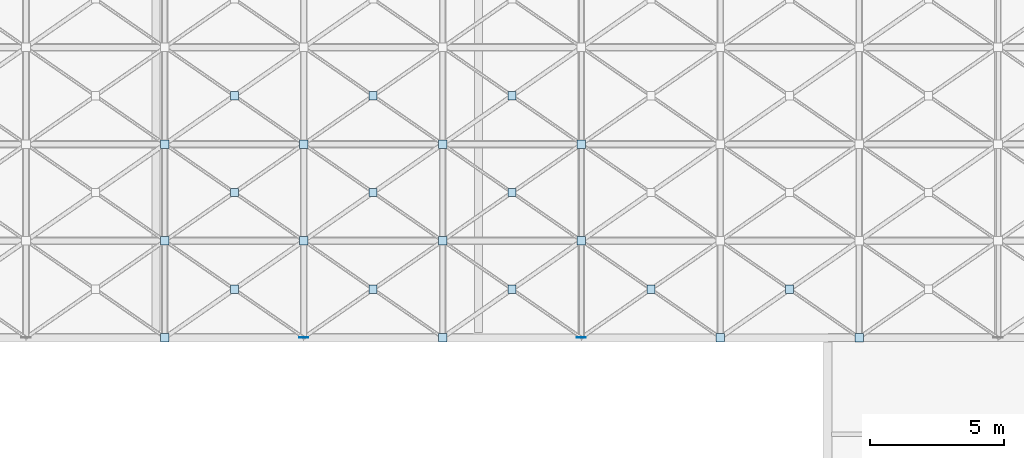
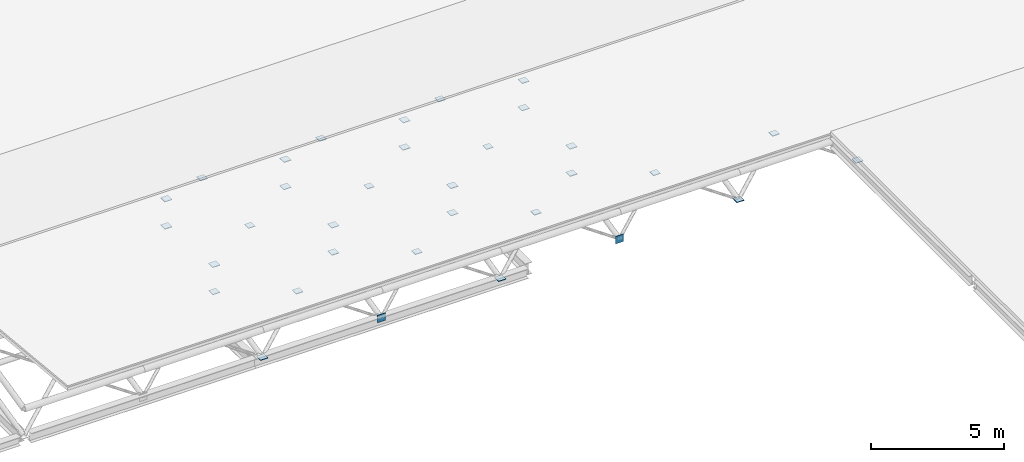
# One storey, part 92 of 110: 33 plates.
"""IFC4 building model written with IfcOpenShell, lengths in metres."""

from ifc_helpers import new_model, si_unit, direction, frame, origin, origin_2d, place, context, subcontext, project, spatial, rectangle, extrude, material, layer, layer_set, type_object, element, save


model = new_model("IFC4")

# Units and contexts
model_context = context("Model", 3, precision=1e-05, world=origin(), true_north=direction((0.0, 1.0)))
body_context = subcontext(model_context, "Body", "Model", "MODEL_VIEW")
ifc_project = project(units=[si_unit("LENGTHUNIT", "METRE"), si_unit("AREAUNIT", "SQUARE_METRE"), si_unit("VOLUMEUNIT", "CUBIC_METRE"), si_unit("PLANEANGLEUNIT", "RADIAN"), si_unit("MASSUNIT", "GRAM", prefix="KILO")], contexts=[model_context])

# Site, building, storey
site_placement = place(None, origin())
site = spatial("IfcSite", under=ifc_project, at=site_placement, CompositionType="ELEMENT")
building_placement = place(site_placement, origin())
building = spatial("IfcBuilding", under=site, at=building_placement, Name="Tamarisk Ironworks Central Station", CompositionType="ELEMENT")
storey_placement = place(building_placement, frame((0.0, 0.0, 17.39990234375)))
storey = spatial("IfcBuildingStorey", under=building, at=storey_placement, Name="L03", CompositionType="ELEMENT", Elevation=17.39990234375)

# Plates
ifc_material_1 = material(Name="Painted structural steel S355J2", Category="steel")
ifc_layer_1 = layer(ifc_material_1, 0.01611328125)
ifc_layer_set_1 = layer_set([ifc_layer_1], Name="Painted structural steel S355J2")
plate_type_1 = type_object("IfcPlateType", Name="PL-EC16", PredefinedType="SHEET", material=ifc_layer_set_1)
for number, where, z_axis, x_axis, name in (
    (1, (133.5, 21.60009765625, -1.89013671875), (0.0, 0.0, 1.0), (1.0, 0.0, 0.0), "Hollow section welded end-cap plate 41"),
    (2, (143.833251953125, 21.60009765625, -1.89013671875), (0.0, 0.0, 1.0), (1.0, 0.0, 0.0), "Hollow section welded end-cap plate 42"),
):
    element("IfcPlate", number, at=place(storey_placement, frame(where, z_axis=z_axis, x_axis=x_axis)), inside=storey, type_object=plate_type_1, Name=name, PredefinedType="SHEET", context=body_context, shape_type="SweptSolid", body=[
        extrude(rectangle(XDim=0.340087890625, YDim=0.02392578125, at=origin_2d()), origin(), (0.0, 0.0, 1.0), 0.340087890625),
    ])
ifc_material_2 = material(Name="Structural steel S355J2H", Category="steel")
ifc_layer_2 = layer(ifc_material_2, 0.02587890625)
ifc_layer_set_2 = layer_set([ifc_layer_2], Name="Structural steel S355J2H")
plate_type_2 = type_object("IfcPlateType", Name="PL-ND26", PredefinedType="SHEET", material=ifc_layer_set_2)
for number, where, z_axis, x_axis, name in (
    (3, (128.333251953125, 21.60009765625, -1.73291015625), (0.0, 0.0, 1.0), (1.0, 0.0, 0.0), "Space-frame collector node plate 0528"),
    (4, (128.333251953125, 25.199951171875, 0.342041015625), (0.0, 0.0, 1.0), (1.0, 0.0, 0.0), "Space-frame collector node plate 0529"),
    (5, (128.333251953125, 25.199951171875, -0.907958984375), (0.0, 0.0, 1.0), (1.0, 0.0, 0.0), "Space-frame collector node plate 0531"),
    (6, (128.333251953125, 28.800048828125, 1.167236328125), (0.0, 0.0, 1.0), (1.0, 0.0, 0.0), "Space-frame collector node plate 0532"),
    (7, (128.333251953125, 28.800048828125, -0.082763671875), (0.0, 0.0, 1.0), (1.0, 0.0, 0.0), "Space-frame collector node plate 0534"),
):
    element("IfcPlate", number, at=place(storey_placement, frame(where, z_axis=z_axis, x_axis=x_axis)), inside=storey, type_object=plate_type_2, Name=name, PredefinedType="SHEET", context=body_context, shape_type="SweptSolid", body=[
        extrude(rectangle(XDim=0.320068359375, YDim=0.320068359375, at=origin_2d()), origin(), (0.0, 0.0, 1.0), 0.02587890625),
    ])
plate_1_placement = place(storey_placement, frame((130.916748046875, 23.39990234375, -0.6953125), z_axis=(0.0, 0.0, 1.0), x_axis=(1.0, 0.0, 0.0)))
element("IfcPlate", 8, at=plate_1_placement, inside=storey, type_object=plate_type_2, Name="Space-frame X-brace crossing gusset plate 0539", PredefinedType="SHEET", context=body_context, shape_type="SweptSolid", body=[
    extrude(rectangle(XDim=0.300048828125, YDim=0.300048828125, at=origin_2d()), origin(), (0.0, 0.0, 1.0), 0.02587890625),
])
plate_2_placement = place(storey_placement, frame((133.5, 25.199951171875, 0.342041015625), z_axis=(0.0, 0.0, 1.0), x_axis=(1.0, 0.0, 0.0)))
element("IfcPlate", 9, at=plate_2_placement, inside=storey, type_object=plate_type_2, Name="Space-frame collector node plate 0540", PredefinedType="SHEET", context=body_context, shape_type="SweptSolid", body=[
    extrude(rectangle(XDim=0.320068359375, YDim=0.320068359375, at=origin_2d()), origin(), (0.0, 0.0, 1.0), 0.02587890625),
])
plate_3_placement = place(storey_placement, frame((130.916748046875, 27.0, 0.129638671875), z_axis=(0.0, 0.0, 1.0), x_axis=(1.0, 0.0, 0.0)))
element("IfcPlate", 10, at=plate_3_placement, inside=storey, type_object=plate_type_2, Name="Space-frame X-brace crossing gusset plate 0541", PredefinedType="SHEET", context=body_context, shape_type="SweptSolid", body=[
    extrude(rectangle(XDim=0.300048828125, YDim=0.300048828125, at=origin_2d()), origin(), (0.0, 0.0, 1.0), 0.02587890625),
])
for number, where, z_axis, x_axis, name in (
    (11, (133.5, 25.199951171875, -0.907958984375), (0.0, 0.0, 1.0), (1.0, 0.0, 0.0), "Space-frame collector node plate 0542"),
    (12, (133.5, 28.800048828125, 1.167236328125), (0.0, 0.0, 1.0), (1.0, 0.0, 0.0), "Space-frame collector node plate 0543"),
):
    element("IfcPlate", number, at=place(storey_placement, frame(where, z_axis=z_axis, x_axis=x_axis)), inside=storey, type_object=plate_type_2, Name=name, PredefinedType="SHEET", context=body_context, shape_type="SweptSolid", body=[
        extrude(rectangle(XDim=0.320068359375, YDim=0.320068359375, at=origin_2d()), origin(), (0.0, 0.0, 1.0), 0.02587890625),
    ])
plate_4_placement = place(storey_placement, frame((130.916748046875, 30.60009765625, 0.129638671875), z_axis=(0.0, 0.0, 1.0), x_axis=(1.0, 0.0, 0.0)))
element("IfcPlate", 13, at=plate_4_placement, inside=storey, type_object=plate_type_2, Name="Space-frame X-brace crossing gusset plate 0544", PredefinedType="SHEET", context=body_context, shape_type="SweptSolid", body=[
    extrude(rectangle(XDim=0.300048828125, YDim=0.300048828125, at=origin_2d()), origin(), (0.0, 0.0, 1.0), 0.02587890625),
])
plate_5_placement = place(storey_placement, frame((133.5, 28.800048828125, -0.082763671875), z_axis=(0.0, 0.0, 1.0), x_axis=(1.0, 0.0, 0.0)))
element("IfcPlate", 14, at=plate_5_placement, inside=storey, type_object=plate_type_2, Name="Space-frame collector node plate 0545", PredefinedType="SHEET", context=body_context, shape_type="SweptSolid", body=[
    extrude(rectangle(XDim=0.320068359375, YDim=0.320068359375, at=origin_2d()), origin(), (0.0, 0.0, 1.0), 0.02587890625),
])
plate_6_placement = place(storey_placement, frame((136.083251953125, 23.39990234375, -0.6953125), z_axis=(0.0, 0.0, 1.0), x_axis=(1.0, 0.0, 0.0)))
element("IfcPlate", 15, at=plate_6_placement, inside=storey, type_object=plate_type_2, Name="Space-frame X-brace crossing gusset plate 0550", PredefinedType="SHEET", context=body_context, shape_type="SweptSolid", body=[
    extrude(rectangle(XDim=0.300048828125, YDim=0.300048828125, at=origin_2d()), origin(), (0.0, 0.0, 1.0), 0.02587890625),
])
for number, where, z_axis, x_axis, name in (
    (16, (138.666748046875, 21.60009765625, -1.73291015625), (0.0, 0.0, 1.0), (1.0, 0.0, 0.0), "Space-frame collector node plate 0551"),
    (17, (138.666748046875, 25.199951171875, 0.342041015625), (0.0, 0.0, 1.0), (1.0, 0.0, 0.0), "Space-frame collector node plate 0552"),
):
    element("IfcPlate", number, at=place(storey_placement, frame(where, z_axis=z_axis, x_axis=x_axis)), inside=storey, type_object=plate_type_2, Name=name, PredefinedType="SHEET", context=body_context, shape_type="SweptSolid", body=[
        extrude(rectangle(XDim=0.320068359375, YDim=0.320068359375, at=origin_2d()), origin(), (0.0, 0.0, 1.0), 0.02587890625),
    ])
plate_7_placement = place(storey_placement, frame((136.083251953125, 27.0, 0.129638671875), z_axis=(0.0, 0.0, 1.0), x_axis=(1.0, 0.0, 0.0)))
element("IfcPlate", 18, at=plate_7_placement, inside=storey, type_object=plate_type_2, Name="Space-frame X-brace crossing gusset plate 0553", PredefinedType="SHEET", context=body_context, shape_type="SweptSolid", body=[
    extrude(rectangle(XDim=0.300048828125, YDim=0.300048828125, at=origin_2d()), origin(), (0.0, 0.0, 1.0), 0.02587890625),
])
for number, where, z_axis, x_axis, name in (
    (19, (138.666748046875, 25.199951171875, -0.907958984375), (0.0, 0.0, 1.0), (1.0, 0.0, 0.0), "Space-frame collector node plate 0554"),
    (20, (138.666748046875, 28.800048828125, 1.167236328125), (0.0, 0.0, 1.0), (1.0, 0.0, 0.0), "Space-frame collector node plate 0555"),
):
    element("IfcPlate", number, at=place(storey_placement, frame(where, z_axis=z_axis, x_axis=x_axis)), inside=storey, type_object=plate_type_2, Name=name, PredefinedType="SHEET", context=body_context, shape_type="SweptSolid", body=[
        extrude(rectangle(XDim=0.320068359375, YDim=0.320068359375, at=origin_2d()), origin(), (0.0, 0.0, 1.0), 0.02587890625),
    ])
plate_8_placement = place(storey_placement, frame((136.083251953125, 30.60009765625, 0.129638671875), z_axis=(0.0, 0.0, 1.0), x_axis=(1.0, 0.0, 0.0)))
element("IfcPlate", 21, at=plate_8_placement, inside=storey, type_object=plate_type_2, Name="Space-frame X-brace crossing gusset plate 0556", PredefinedType="SHEET", context=body_context, shape_type="SweptSolid", body=[
    extrude(rectangle(XDim=0.300048828125, YDim=0.300048828125, at=origin_2d()), origin(), (0.0, 0.0, 1.0), 0.02587890625),
])
plate_9_placement = place(storey_placement, frame((138.666748046875, 28.800048828125, -0.082763671875), z_axis=(0.0, 0.0, 1.0), x_axis=(1.0, 0.0, 0.0)))
element("IfcPlate", 22, at=plate_9_placement, inside=storey, type_object=plate_type_2, Name="Space-frame collector node plate 0557", PredefinedType="SHEET", context=body_context, shape_type="SweptSolid", body=[
    extrude(rectangle(XDim=0.320068359375, YDim=0.320068359375, at=origin_2d()), origin(), (0.0, 0.0, 1.0), 0.02587890625),
])
plate_10_placement = place(storey_placement, frame((141.25, 23.39990234375, -0.6953125), z_axis=(0.0, 0.0, 1.0), x_axis=(1.0, 0.0, 0.0)))
element("IfcPlate", 23, at=plate_10_placement, inside=storey, type_object=plate_type_2, Name="Space-frame X-brace crossing gusset plate 0562", PredefinedType="SHEET", context=body_context, shape_type="SweptSolid", body=[
    extrude(rectangle(XDim=0.300048828125, YDim=0.300048828125, at=origin_2d()), origin(), (0.0, 0.0, 1.0), 0.02587890625),
])
plate_11_placement = place(storey_placement, frame((143.833251953125, 25.199951171875, 0.342041015625), z_axis=(0.0, 0.0, 1.0), x_axis=(1.0, 0.0, 0.0)))
element("IfcPlate", 24, at=plate_11_placement, inside=storey, type_object=plate_type_2, Name="Space-frame collector node plate 0563", PredefinedType="SHEET", context=body_context, shape_type="SweptSolid", body=[
    extrude(rectangle(XDim=0.320068359375, YDim=0.320068359375, at=origin_2d()), origin(), (0.0, 0.0, 1.0), 0.02587890625),
])
plate_12_placement = place(storey_placement, frame((141.25, 27.0, 0.129638671875), z_axis=(0.0, 0.0, 1.0), x_axis=(1.0, 0.0, 0.0)))
element("IfcPlate", 25, at=plate_12_placement, inside=storey, type_object=plate_type_2, Name="Space-frame X-brace crossing gusset plate 0564", PredefinedType="SHEET", context=body_context, shape_type="SweptSolid", body=[
    extrude(rectangle(XDim=0.300048828125, YDim=0.300048828125, at=origin_2d()), origin(), (0.0, 0.0, 1.0), 0.02587890625),
])
for number, where, z_axis, x_axis, name in (
    (26, (143.833251953125, 25.199951171875, -0.907958984375), (0.0, 0.0, 1.0), (1.0, 0.0, 0.0), "Space-frame collector node plate 0565"),
    (27, (143.833251953125, 28.800048828125, 1.167236328125), (0.0, 0.0, 1.0), (1.0, 0.0, 0.0), "Space-frame collector node plate 0566"),
):
    element("IfcPlate", number, at=place(storey_placement, frame(where, z_axis=z_axis, x_axis=x_axis)), inside=storey, type_object=plate_type_2, Name=name, PredefinedType="SHEET", context=body_context, shape_type="SweptSolid", body=[
        extrude(rectangle(XDim=0.320068359375, YDim=0.320068359375, at=origin_2d()), origin(), (0.0, 0.0, 1.0), 0.02587890625),
    ])
plate_13_placement = place(storey_placement, frame((141.25, 30.60009765625, 0.129638671875), z_axis=(0.0, 0.0, 1.0), x_axis=(1.0, 0.0, 0.0)))
element("IfcPlate", 28, at=plate_13_placement, inside=storey, type_object=plate_type_2, Name="Space-frame X-brace crossing gusset plate 0567", PredefinedType="SHEET", context=body_context, shape_type="SweptSolid", body=[
    extrude(rectangle(XDim=0.300048828125, YDim=0.300048828125, at=origin_2d()), origin(), (0.0, 0.0, 1.0), 0.02587890625),
])
plate_14_placement = place(storey_placement, frame((143.833251953125, 28.800048828125, -0.082763671875), z_axis=(0.0, 0.0, 1.0), x_axis=(1.0, 0.0, 0.0)))
element("IfcPlate", 29, at=plate_14_placement, inside=storey, type_object=plate_type_2, Name="Space-frame collector node plate 0568", PredefinedType="SHEET", context=body_context, shape_type="SweptSolid", body=[
    extrude(rectangle(XDim=0.320068359375, YDim=0.320068359375, at=origin_2d()), origin(), (0.0, 0.0, 1.0), 0.02587890625),
])
plate_15_placement = place(storey_placement, frame((146.416748046875, 23.39990234375, -0.6953125), z_axis=(0.0, 0.0, 1.0), x_axis=(1.0, 0.0, 0.0)))
element("IfcPlate", 30, at=plate_15_placement, inside=storey, type_object=plate_type_2, Name="Space-frame X-brace crossing gusset plate 0573", PredefinedType="SHEET", context=body_context, shape_type="SweptSolid", body=[
    extrude(rectangle(XDim=0.300048828125, YDim=0.300048828125, at=origin_2d()), origin(), (0.0, 0.0, 1.0), 0.02587890625),
])
plate_16_placement = place(storey_placement, frame((149.0, 21.60009765625, -1.73291015625), z_axis=(0.0, 0.0, 1.0), x_axis=(1.0, 0.0, 0.0)))
element("IfcPlate", 31, at=plate_16_placement, inside=storey, type_object=plate_type_2, Name="Space-frame collector node plate 0574", PredefinedType="SHEET", context=body_context, shape_type="SweptSolid", body=[
    extrude(rectangle(XDim=0.320068359375, YDim=0.320068359375, at=origin_2d()), origin(), (0.0, 0.0, 1.0), 0.02587890625),
])
plate_17_placement = place(storey_placement, frame((151.583251953125, 23.39990234375, -0.6953125), z_axis=(0.0, 0.0, 1.0), x_axis=(1.0, 0.0, 0.0)))
element("IfcPlate", 32, at=plate_17_placement, inside=storey, type_object=plate_type_2, Name="Space-frame X-brace crossing gusset plate 0585", PredefinedType="SHEET", context=body_context, shape_type="SweptSolid", body=[
    extrude(rectangle(XDim=0.300048828125, YDim=0.300048828125, at=origin_2d()), origin(), (0.0, 0.0, 1.0), 0.02587890625),
])
plate_18_placement = place(storey_placement, frame((154.166748046875, 21.60009765625, -1.73291015625), z_axis=(0.0, 0.0, 1.0), x_axis=(1.0, 0.0, 0.0)))
element("IfcPlate", 33, at=plate_18_placement, inside=storey, type_object=plate_type_2, Name="Space-frame collector node plate 0586", PredefinedType="SHEET", context=body_context, shape_type="SweptSolid", body=[
    extrude(rectangle(XDim=0.320068359375, YDim=0.320068359375, at=origin_2d()), origin(), (0.0, 0.0, 1.0), 0.02587890625),
])

save(model, "model.ifc")
